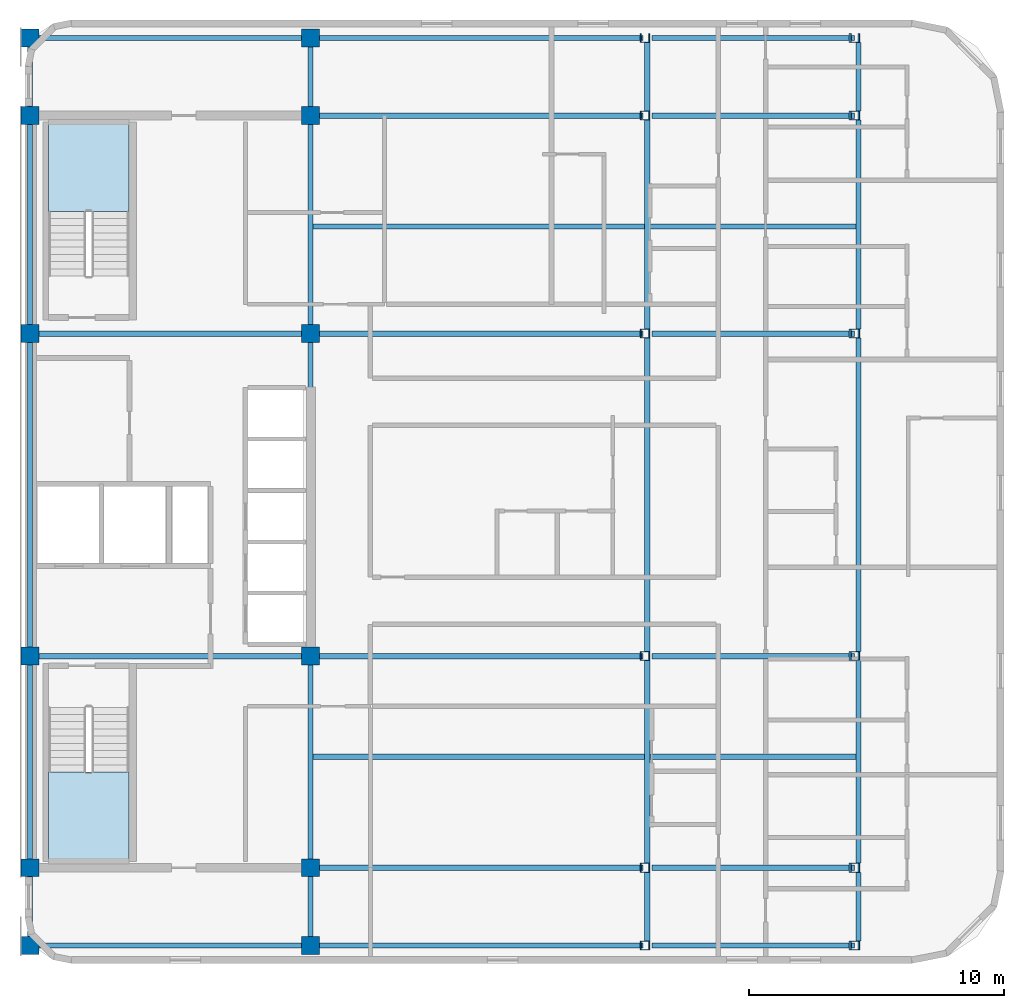
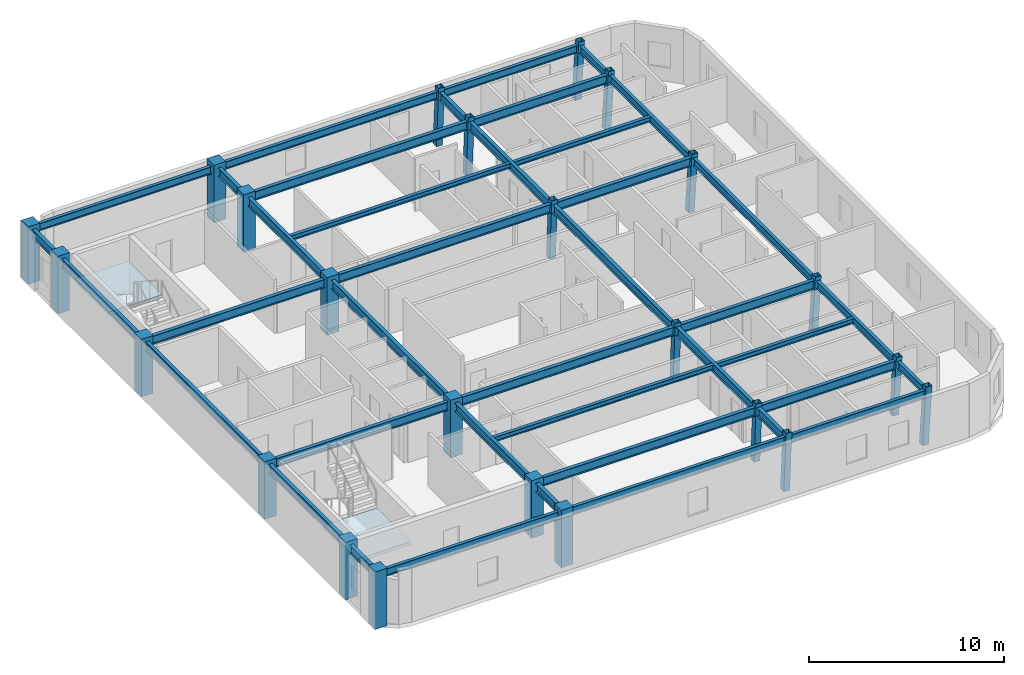
# One storey, part 1 of 7: 40 beams, 24 columns, 2 slabs, 2 elements without a shape of their own.
"""IFC4 building model written with IfcOpenShell, lengths in metres."""

from ifc_helpers import new_model, si_unit, direction, frame, origin, origin_2d, place, context, subcontext, project, spatial, polyline, rectangle, hollow_rectangle, i_section, outline, extrude, material, layer, layer_set, material_profile, profile_set, type_object, element, aggregate, save


model = new_model("IFC4")

# Units and contexts
model_context = context("Model", 3, precision=1e-05, world=origin(), true_north=direction((0.0, 1.0)))
body_context = subcontext(model_context, "Body", "Model", "MODEL_VIEW")
ifc_project = project(units=[si_unit("LENGTHUNIT", "METRE"), si_unit("AREAUNIT", "SQUARE_METRE"), si_unit("VOLUMEUNIT", "CUBIC_METRE"), si_unit("PLANEANGLEUNIT", "RADIAN"), si_unit("MASSUNIT", "GRAM", prefix="KILO")], contexts=[model_context])

# Site, building, storey
site_placement = place(None, origin())
site = spatial("IfcSite", under=ifc_project, at=site_placement, CompositionType="ELEMENT")
building_placement = place(site_placement, origin())
building = spatial("IfcBuilding", under=site, at=building_placement, Name="Ochreholt Gables", CompositionType="ELEMENT")
storey_placement = place(building_placement, frame((0.0, 0.0, 238.800048828125)))
storey = spatial("IfcBuildingStorey", under=building, at=storey_placement, Name="L62", CompositionType="ELEMENT", Elevation=238.800048828125)

# Columns
ifc_material_1 = material(Name="Steel CSA G40.21 350W", Category="steel")
ifc_material_profile_1 = material_profile(ifc_material_1, hollow_rectangle(XDim=0.35595703125, YDim=0.35595703125, WallThickness=0.01611328125, at=origin_2d()), Name="HSS356X356X16")
ifc_profile_set_1 = profile_set([ifc_material_profile_1], Name="Steel CSA G40.21 350W")
column_type_1 = type_object("IfcColumnType", Name="COL-HSS356-RAK", PredefinedType="COLUMN", material=ifc_profile_set_1)
for number, where, z_axis, x_axis, name in (
    (1, (48.2939453125, 9.25, 0.0), (0.034973505036, 0.0, 0.999388239847), (0.0, 1.0, 0.0), "L62 Column EMY2"),
    (2, (48.2939453125, 17.550048828125, 0.0), (0.034973505036, 0.0, 0.999388239847), (0.0, 1.0, 0.0), "L62 Column EMY3"),
    (3, (48.2939453125, 30.199951171875, 0.0), (0.034973505036, 0.0, 0.999388239847), (0.0, 1.0, 0.0), "L62 Column EMY4"),
    (4, (48.2939453125, 38.75, 0.0), (0.034973505036, 0.0, 0.999388239847), (0.0, 1.0, 0.0), "L62 Column EMY5"),
):
    element("IfcColumn", number, at=place(storey_placement, frame(where, z_axis=z_axis, x_axis=x_axis)), inside=storey, type_object=column_type_1, Name=name, PredefinedType="COLUMN", context=body_context, shape_type="SweptSolid", body=[
        extrude(hollow_rectangle(XDim=0.35595703125, YDim=0.35595703125, WallThickness=0.01611328125, at=origin_2d()), origin(), (0.0, 0.0, 1.0), 3.60205078125),
    ])
ifc_material_profile_2 = material_profile(ifc_material_1, hollow_rectangle(XDim=0.35595703125, YDim=0.35595703125, WallThickness=0.01611328125, at=origin_2d()), Name="HSS356X356X16")
ifc_profile_set_2 = profile_set([ifc_material_profile_2], Name="Steel CSA G40.21 350W")
column_type_2 = type_object("IfcColumnType", Name="COL-HSS356-RAKE", PredefinedType="COLUMN", material=ifc_profile_set_2)
for number, where, z_axis, x_axis, name in (
    (5, (48.2939453125, 6.199951171875, 0.0), (0.034973505036, 0.0, 0.999388239847), (0.0, 1.0, 0.0), "L62 Column EMY1"),
    (6, (48.2939453125, 41.800048828125, 0.0), (0.034973505036, 0.0, 0.999388239847), (0.0, 1.0, 0.0), "L62 Column EMY6"),
):
    element("IfcColumn", number, at=place(storey_placement, frame(where, z_axis=z_axis, x_axis=x_axis)), inside=storey, type_object=column_type_2, Name=name, PredefinedType="COLUMN", context=body_context, shape_type="SweptSolid", body=[
        extrude(hollow_rectangle(XDim=0.35595703125, YDim=0.35595703125, WallThickness=0.01611328125, at=origin_2d()), origin(), (0.0, 0.0, 1.0), 3.60205078125),
    ])
for number, where, z_axis, x_axis, name in (
    (7, (56.507080078125, 6.199951171875, 0.0), (0.057955997462, 0.0, 0.998319138531), (0.0, 1.0, 0.0), "L62 Column EEY1"),
    (8, (56.507080078125, 9.25, 0.0), (0.057955997462, 0.0, 0.998319138531), (0.0, 1.0, 0.0), "L62 Column EEY2"),
    (9, (56.507080078125, 17.550048828125, 0.0), (0.057955997462, 0.0, 0.998319138531), (0.0, 1.0, 0.0), "L62 Column EEY3"),
    (10, (56.507080078125, 30.199951171875, 0.0), (0.057955997462, 0.0, 0.998319138531), (0.0, 1.0, 0.0), "L62 Column EEY4"),
    (11, (56.507080078125, 38.75, 0.0), (0.057955997462, 0.0, 0.998319138531), (0.0, 1.0, 0.0), "L62 Column EEY5"),
    (12, (56.507080078125, 41.800048828125, 0.0), (0.057955997462, 0.0, 0.998319138531), (0.0, 1.0, 0.0), "L62 Column EEY6"),
):
    element("IfcColumn", number, at=place(storey_placement, frame(where, z_axis=z_axis, x_axis=x_axis)), inside=storey, type_object=column_type_2, Name=name, PredefinedType="COLUMN", context=body_context, shape_type="SweptSolid", body=[
        extrude(hollow_rectangle(XDim=0.35595703125, YDim=0.35595703125, WallThickness=0.01611328125, at=origin_2d()), origin(), (0.0, 0.0, 1.0), 3.60595703125),
    ])
ifc_material_2 = material(Name="Concrete 50 MPa", Category="concrete")
ifc_material_profile_3 = material_profile(ifc_material_2, rectangle(XDim=0.699951171875, YDim=0.699951171875, at=origin_2d()), Name="RC700X700")
ifc_profile_set_3 = profile_set([ifc_material_profile_3], Name="Concrete 50 MPa")
column_type_3 = type_object("IfcColumnType", Name="COL-RC700-EXT", PredefinedType="COLUMN", material=ifc_profile_set_3)
for number, where, z_axis, x_axis, name in (
    (13, (24.199951171875, 6.199951171875, 0.0), (0.0, 0.0, 1.0), (1.0, 0.0, 0.0), "L62 Column C1Y1"),
    (14, (24.199951171875, 9.25, 0.0), (0.0, 0.0, 1.0), (1.0, 0.0, 0.0), "L62 Column C1Y2"),
    (15, (24.199951171875, 17.550048828125, 0.0), (0.0, 0.0, 1.0), (1.0, 0.0, 0.0), "L62 Column C1Y3"),
    (16, (24.199951171875, 30.199951171875, 0.0), (0.0, 0.0, 1.0), (1.0, 0.0, 0.0), "L62 Column C1Y4"),
    (17, (24.199951171875, 38.75, 0.0), (0.0, 0.0, 1.0), (1.0, 0.0, 0.0), "L62 Column C1Y5"),
    (18, (24.199951171875, 41.800048828125, 0.0), (0.0, 0.0, 1.0), (1.0, 0.0, 0.0), "L62 Column C1Y6"),
    (19, (35.199951171875, 6.199951171875, 0.0), (0.0, 0.0, 1.0), (1.0, 0.0, 0.0), "L62 Column C2Y1"),
    (20, (35.199951171875, 41.800048828125, 0.0), (0.0, 0.0, 1.0), (1.0, 0.0, 0.0), "L62 Column C2Y6"),
):
    element("IfcColumn", number, at=place(storey_placement, frame(where, z_axis=z_axis, x_axis=x_axis)), inside=storey, type_object=column_type_3, Name=name, PredefinedType="COLUMN", context=body_context, shape_type="SweptSolid", body=[
        extrude(rectangle(XDim=0.699951171875, YDim=0.699951171875, at=origin_2d()), origin(), (0.0, 0.0, 1.0), 3.599853515625),
    ])
ifc_material_profile_4 = material_profile(ifc_material_2, rectangle(XDim=0.699951171875, YDim=0.699951171875, at=origin_2d()), Name="RC700X700")
ifc_profile_set_4 = profile_set([ifc_material_profile_4], Name="Concrete 50 MPa")
column_type_4 = type_object("IfcColumnType", Name="COL-RC700-INT", PredefinedType="COLUMN", material=ifc_profile_set_4)
for number, where, z_axis, x_axis, name in (
    (21, (35.199951171875, 9.25, 0.0), (0.0, 0.0, 1.0), (1.0, 0.0, 0.0), "L62 Column C2Y2"),
    (22, (35.199951171875, 17.550048828125, 0.0), (0.0, 0.0, 1.0), (1.0, 0.0, 0.0), "L62 Column C2Y3"),
    (23, (35.199951171875, 30.199951171875, 0.0), (0.0, 0.0, 1.0), (1.0, 0.0, 0.0), "L62 Column C2Y4"),
    (24, (35.199951171875, 38.75, 0.0), (0.0, 0.0, 1.0), (1.0, 0.0, 0.0), "L62 Column C2Y5"),
):
    element("IfcColumn", number, at=place(storey_placement, frame(where, z_axis=z_axis, x_axis=x_axis)), inside=storey, type_object=column_type_4, Name=name, PredefinedType="COLUMN", context=body_context, shape_type="SweptSolid", body=[
        extrude(rectangle(XDim=0.699951171875, YDim=0.699951171875, at=origin_2d()), origin(), (0.0, 0.0, 1.0), 3.599853515625),
    ])

# Beams
ifc_material_profile_5 = material_profile(ifc_material_1, i_section(OverallWidth=0.2109375, OverallDepth=0.5390625, WebThickness=0.01171875, FlangeThickness=0.018798828125, at=origin_2d()), Name="W530X109")
ifc_profile_set_5 = profile_set([ifc_material_profile_5], Name="Steel CSA G40.21 350W")
beam_type_1 = type_object("IfcBeamType", Name="BM-G-W530A", PredefinedType="BEAM", material=ifc_profile_set_5)
beam_1_placement = place(storey_placement, frame((35.549560546875, 9.25, 3.09033203125), z_axis=(1.0, 0.0, 0.0), x_axis=(0.0, 1.0, 0.0)))
element("IfcBeam", 25, at=beam_1_placement, inside=storey, type_object=beam_type_1, Name="L62 Beam TBG-L62-C2EM-Y2", PredefinedType="BEAM", context=body_context, shape_type="SweptSolid", body=[
    extrude(i_section(OverallWidth=0.2109375, OverallDepth=0.5390625, WebThickness=0.01171875, FlangeThickness=0.018798828125, at=origin_2d()), origin(), (0.0, 0.0, 1.0), 12.69287109375),
])
beam_2_placement = place(storey_placement, frame((48.59765625, 9.25, 3.09033203125), z_axis=(1.0, 0.0, 0.0), x_axis=(0.0, 1.0, 0.0)))
element("IfcBeam", 26, at=beam_2_placement, inside=storey, type_object=beam_type_1, Name="L62 Beam TBG-L62-EMEE-Y2", PredefinedType="BEAM", context=body_context, shape_type="SweptSolid", body=[
    extrude(i_section(OverallWidth=0.2109375, OverallDepth=0.5390625, WebThickness=0.01171875, FlangeThickness=0.018798828125, at=origin_2d()), origin(), (0.0, 0.0, 1.0), 7.940673828125),
])
beam_3_placement = place(storey_placement, frame((24.549560546875, 17.550048828125, 3.09033203125), z_axis=(1.0, 0.0, 0.0), x_axis=(0.0, 1.0, 0.0)))
element("IfcBeam", 27, at=beam_3_placement, inside=storey, type_object=beam_type_1, Name="L62 Beam TBG-L62-C1C2-Y3", PredefinedType="BEAM", context=body_context, shape_type="SweptSolid", body=[
    extrude(i_section(OverallWidth=0.2109375, OverallDepth=0.5390625, WebThickness=0.01171875, FlangeThickness=0.018798828125, at=origin_2d()), origin(), (0.0, 0.0, 1.0), 10.30078125),
])
beam_4_placement = place(storey_placement, frame((35.549560546875, 17.550048828125, 3.09033203125), z_axis=(1.0, 0.0, 0.0), x_axis=(0.0, 1.0, 0.0)))
element("IfcBeam", 28, at=beam_4_placement, inside=storey, type_object=beam_type_1, Name="L62 Beam TBG-L62-C2EM-Y3", PredefinedType="BEAM", context=body_context, shape_type="SweptSolid", body=[
    extrude(i_section(OverallWidth=0.2109375, OverallDepth=0.5390625, WebThickness=0.01171875, FlangeThickness=0.018798828125, at=origin_2d()), origin(), (0.0, 0.0, 1.0), 12.69287109375),
])
beam_5_placement = place(storey_placement, frame((48.59765625, 17.550048828125, 3.09033203125), z_axis=(1.0, 0.0, 0.0), x_axis=(0.0, 1.0, 0.0)))
element("IfcBeam", 29, at=beam_5_placement, inside=storey, type_object=beam_type_1, Name="L62 Beam TBG-L62-EMEE-Y3", PredefinedType="BEAM", context=body_context, shape_type="SweptSolid", body=[
    extrude(i_section(OverallWidth=0.2109375, OverallDepth=0.5390625, WebThickness=0.01171875, FlangeThickness=0.018798828125, at=origin_2d()), origin(), (0.0, 0.0, 1.0), 7.940673828125),
])
beam_6_placement = place(storey_placement, frame((24.549560546875, 30.199951171875, 3.09033203125), z_axis=(1.0, 0.0, 0.0), x_axis=(0.0, 1.0, 0.0)))
element("IfcBeam", 30, at=beam_6_placement, inside=storey, type_object=beam_type_1, Name="L62 Beam TBG-L62-C1C2-Y4", PredefinedType="BEAM", context=body_context, shape_type="SweptSolid", body=[
    extrude(i_section(OverallWidth=0.2109375, OverallDepth=0.5390625, WebThickness=0.01171875, FlangeThickness=0.018798828125, at=origin_2d()), origin(), (0.0, 0.0, 1.0), 10.30078125),
])
beam_7_placement = place(storey_placement, frame((35.549560546875, 30.199951171875, 3.09033203125), z_axis=(1.0, 0.0, 0.0), x_axis=(0.0, 1.0, 0.0)))
element("IfcBeam", 31, at=beam_7_placement, inside=storey, type_object=beam_type_1, Name="L62 Beam TBG-L62-C2EM-Y4", PredefinedType="BEAM", context=body_context, shape_type="SweptSolid", body=[
    extrude(i_section(OverallWidth=0.2109375, OverallDepth=0.5390625, WebThickness=0.01171875, FlangeThickness=0.018798828125, at=origin_2d()), origin(), (0.0, 0.0, 1.0), 12.69287109375),
])
beam_8_placement = place(storey_placement, frame((48.59765625, 30.199951171875, 3.09033203125), z_axis=(1.0, 0.0, 0.0), x_axis=(0.0, 1.0, 0.0)))
element("IfcBeam", 32, at=beam_8_placement, inside=storey, type_object=beam_type_1, Name="L62 Beam TBG-L62-EMEE-Y4", PredefinedType="BEAM", context=body_context, shape_type="SweptSolid", body=[
    extrude(i_section(OverallWidth=0.2109375, OverallDepth=0.5390625, WebThickness=0.01171875, FlangeThickness=0.018798828125, at=origin_2d()), origin(), (0.0, 0.0, 1.0), 7.940673828125),
])
beam_9_placement = place(storey_placement, frame((35.549560546875, 38.75, 3.09033203125), z_axis=(1.0, 0.0, 0.0), x_axis=(0.0, 1.0, 0.0)))
element("IfcBeam", 33, at=beam_9_placement, inside=storey, type_object=beam_type_1, Name="L62 Beam TBG-L62-C2EM-Y5", PredefinedType="BEAM", context=body_context, shape_type="SweptSolid", body=[
    extrude(i_section(OverallWidth=0.2109375, OverallDepth=0.5390625, WebThickness=0.01171875, FlangeThickness=0.018798828125, at=origin_2d()), origin(), (0.0, 0.0, 1.0), 12.69287109375),
])
beam_10_placement = place(storey_placement, frame((48.59765625, 38.75, 3.09033203125), z_axis=(1.0, 0.0, 0.0), x_axis=(0.0, 1.0, 0.0)))
element("IfcBeam", 34, at=beam_10_placement, inside=storey, type_object=beam_type_1, Name="L62 Beam TBG-L62-EMEE-Y5", PredefinedType="BEAM", context=body_context, shape_type="SweptSolid", body=[
    extrude(i_section(OverallWidth=0.2109375, OverallDepth=0.5390625, WebThickness=0.01171875, FlangeThickness=0.018798828125, at=origin_2d()), origin(), (0.0, 0.0, 1.0), 7.940673828125),
])
beam_11_placement = place(storey_placement, frame((24.199951171875, 6.549560546875, 3.09033203125), z_axis=(0.0, 1.0, 0.0), x_axis=(-1.0, 0.0, 0.0)))
element("IfcBeam", 35, at=beam_11_placement, inside=storey, type_object=beam_type_1, Name="L62 Beam TBN-L62-C1-Y1Y2", PredefinedType="BEAM", context=body_context, shape_type="SweptSolid", body=[
    extrude(i_section(OverallWidth=0.2109375, OverallDepth=0.5390625, WebThickness=0.01171875, FlangeThickness=0.018798828125, at=origin_2d()), origin(), (0.0, 0.0, 1.0), 2.350830078125),
])
beam_12_placement = place(storey_placement, frame((24.199951171875, 9.599609375, 3.09033203125), z_axis=(0.0, 1.0, 0.0), x_axis=(-1.0, 0.0, 0.0)))
element("IfcBeam", 36, at=beam_12_placement, inside=storey, type_object=beam_type_1, Name="L62 Beam TBN-L62-C1-Y2Y3", PredefinedType="BEAM", context=body_context, shape_type="SweptSolid", body=[
    extrude(i_section(OverallWidth=0.2109375, OverallDepth=0.5390625, WebThickness=0.01171875, FlangeThickness=0.018798828125, at=origin_2d()), origin(), (0.0, 0.0, 1.0), 7.600830078125),
])
beam_13_placement = place(storey_placement, frame((24.199951171875, 17.899658203125, 3.09033203125), z_axis=(0.0, 1.0, 0.0), x_axis=(-1.0, 0.0, 0.0)))
element("IfcBeam", 37, at=beam_13_placement, inside=storey, type_object=beam_type_1, Name="L62 Beam TBN-L62-C1-Y3Y4", PredefinedType="BEAM", context=body_context, shape_type="SweptSolid", body=[
    extrude(i_section(OverallWidth=0.2109375, OverallDepth=0.5390625, WebThickness=0.01171875, FlangeThickness=0.018798828125, at=origin_2d()), origin(), (0.0, 0.0, 1.0), 11.95068359375),
])
beam_14_placement = place(storey_placement, frame((24.199951171875, 30.549560546875, 3.09033203125), z_axis=(0.0, 1.0, 0.0), x_axis=(-1.0, 0.0, 0.0)))
element("IfcBeam", 38, at=beam_14_placement, inside=storey, type_object=beam_type_1, Name="L62 Beam TBN-L62-C1-Y4Y5", PredefinedType="BEAM", context=body_context, shape_type="SweptSolid", body=[
    extrude(i_section(OverallWidth=0.2109375, OverallDepth=0.5390625, WebThickness=0.01171875, FlangeThickness=0.018798828125, at=origin_2d()), origin(), (0.0, 0.0, 1.0), 7.850830078125),
])
for number, where, z_axis, x_axis, name in (
    (39, (24.199951171875, 39.099609375, 3.09033203125), (0.0, 1.0, 0.0), (-1.0, 0.0, 0.0), "L62 Beam TBN-L62-C1-Y5Y6"),
    (40, (35.199951171875, 6.549560546875, 3.09033203125), (0.0, 1.0, 0.0), (-1.0, 0.0, 0.0), "L62 Beam TBN-L62-C2-Y1Y2"),
):
    element("IfcBeam", number, at=place(storey_placement, frame(where, z_axis=z_axis, x_axis=x_axis)), inside=storey, type_object=beam_type_1, Name=name, PredefinedType="BEAM", context=body_context, shape_type="SweptSolid", body=[
        extrude(i_section(OverallWidth=0.2109375, OverallDepth=0.5390625, WebThickness=0.01171875, FlangeThickness=0.018798828125, at=origin_2d()), origin(), (0.0, 0.0, 1.0), 2.350830078125),
    ])
beam_15_placement = place(storey_placement, frame((35.199951171875, 9.599609375, 3.09033203125), z_axis=(0.0, 1.0, 0.0), x_axis=(-1.0, 0.0, 0.0)))
element("IfcBeam", 41, at=beam_15_placement, inside=storey, type_object=beam_type_1, Name="L62 Beam TBN-L62-C2-Y2Y3", PredefinedType="BEAM", context=body_context, shape_type="SweptSolid", body=[
    extrude(i_section(OverallWidth=0.2109375, OverallDepth=0.5390625, WebThickness=0.01171875, FlangeThickness=0.018798828125, at=origin_2d()), origin(), (0.0, 0.0, 1.0), 7.600830078125),
])
beam_16_placement = place(storey_placement, frame((35.199951171875, 17.899658203125, 3.09033203125), z_axis=(0.0, 1.0, 0.0), x_axis=(-1.0, 0.0, 0.0)))
element("IfcBeam", 42, at=beam_16_placement, inside=storey, type_object=beam_type_1, Name="L62 Beam TBN-L62-C2-Y3Y4", PredefinedType="BEAM", context=body_context, shape_type="SweptSolid", body=[
    extrude(i_section(OverallWidth=0.2109375, OverallDepth=0.5390625, WebThickness=0.01171875, FlangeThickness=0.018798828125, at=origin_2d()), origin(), (0.0, 0.0, 1.0), 11.95068359375),
])
beam_17_placement = place(storey_placement, frame((35.199951171875, 30.549560546875, 3.09033203125), z_axis=(0.0, 1.0, 0.0), x_axis=(-1.0, 0.0, 0.0)))
element("IfcBeam", 43, at=beam_17_placement, inside=storey, type_object=beam_type_1, Name="L62 Beam TBN-L62-C2-Y4Y5", PredefinedType="BEAM", context=body_context, shape_type="SweptSolid", body=[
    extrude(i_section(OverallWidth=0.2109375, OverallDepth=0.5390625, WebThickness=0.01171875, FlangeThickness=0.018798828125, at=origin_2d()), origin(), (0.0, 0.0, 1.0), 7.850830078125),
])
beam_18_placement = place(storey_placement, frame((35.199951171875, 39.099609375, 3.09033203125), z_axis=(0.0, 1.0, 0.0), x_axis=(-1.0, 0.0, 0.0)))
element("IfcBeam", 44, at=beam_18_placement, inside=storey, type_object=beam_type_1, Name="L62 Beam TBN-L62-C2-Y5Y6", PredefinedType="BEAM", context=body_context, shape_type="SweptSolid", body=[
    extrude(i_section(OverallWidth=0.2109375, OverallDepth=0.5390625, WebThickness=0.01171875, FlangeThickness=0.018798828125, at=origin_2d()), origin(), (0.0, 0.0, 1.0), 2.350830078125),
])
beam_19_placement = place(storey_placement, frame((48.40283203125, 6.377685546875, 3.09033203125), z_axis=(0.0, 1.0, 0.0), x_axis=(-1.0, 0.0, 0.0)))
element("IfcBeam", 45, at=beam_19_placement, inside=storey, type_object=beam_type_1, Name="L62 Beam TBN-L62-EM-Y1Y2", PredefinedType="BEAM", context=body_context, shape_type="SweptSolid", body=[
    extrude(i_section(OverallWidth=0.2109375, OverallDepth=0.5390625, WebThickness=0.01171875, FlangeThickness=0.018798828125, at=origin_2d()), origin(), (0.0, 0.0, 1.0), 2.69482421875),
])
beam_20_placement = place(storey_placement, frame((48.40283203125, 9.427490234375, 3.09033203125), z_axis=(0.0, 1.0, 0.0), x_axis=(-1.0, 0.0, 0.0)))
element("IfcBeam", 46, at=beam_20_placement, inside=storey, type_object=beam_type_1, Name="L62 Beam TBN-L62-EM-Y2Y3", PredefinedType="BEAM", context=body_context, shape_type="SweptSolid", body=[
    extrude(i_section(OverallWidth=0.2109375, OverallDepth=0.5390625, WebThickness=0.01171875, FlangeThickness=0.018798828125, at=origin_2d()), origin(), (0.0, 0.0, 1.0), 7.94482421875),
])
beam_21_placement = place(storey_placement, frame((48.40283203125, 17.7275390625, 3.09033203125), z_axis=(0.0, 1.0, 0.0), x_axis=(-1.0, 0.0, 0.0)))
element("IfcBeam", 47, at=beam_21_placement, inside=storey, type_object=beam_type_1, Name="L62 Beam TBN-L62-EM-Y3Y4", PredefinedType="BEAM", context=body_context, shape_type="SweptSolid", body=[
    extrude(i_section(OverallWidth=0.2109375, OverallDepth=0.5390625, WebThickness=0.01171875, FlangeThickness=0.018798828125, at=origin_2d()), origin(), (0.0, 0.0, 1.0), 12.294921875),
])
beam_22_placement = place(storey_placement, frame((48.40283203125, 30.377685546875, 3.09033203125), z_axis=(0.0, 1.0, 0.0), x_axis=(-1.0, 0.0, 0.0)))
element("IfcBeam", 48, at=beam_22_placement, inside=storey, type_object=beam_type_1, Name="L62 Beam TBN-L62-EM-Y4Y5", PredefinedType="BEAM", context=body_context, shape_type="SweptSolid", body=[
    extrude(i_section(OverallWidth=0.2109375, OverallDepth=0.5390625, WebThickness=0.01171875, FlangeThickness=0.018798828125, at=origin_2d()), origin(), (0.0, 0.0, 1.0), 8.19482421875),
])
beam_23_placement = place(storey_placement, frame((48.40283203125, 38.927490234375, 3.09033203125), z_axis=(0.0, 1.0, 0.0), x_axis=(-1.0, 0.0, 0.0)))
element("IfcBeam", 49, at=beam_23_placement, inside=storey, type_object=beam_type_1, Name="L62 Beam TBN-L62-EM-Y5Y6", PredefinedType="BEAM", context=body_context, shape_type="SweptSolid", body=[
    extrude(i_section(OverallWidth=0.2109375, OverallDepth=0.5390625, WebThickness=0.01171875, FlangeThickness=0.018798828125, at=origin_2d()), origin(), (0.0, 0.0, 1.0), 2.69482421875),
])
ifc_material_profile_6 = material_profile(ifc_material_1, i_section(OverallWidth=0.202880859375, OverallDepth=0.302978515625, WebThickness=0.007568359375, FlangeThickness=0.01318359375, at=origin_2d()), Name="W310X60")
ifc_profile_set_6 = profile_set([ifc_material_profile_6], Name="Steel CSA G40.21 350W")
beam_type_2 = type_object("IfcBeamType", Name="BM-J-W310", PredefinedType="JOIST", material=ifc_profile_set_6)
beam_24_placement = place(storey_placement, frame((35.30517578125, 13.60009765625, 3.20849609375), z_axis=(1.0, 0.0, 0.0), x_axis=(0.0, 1.0, 0.0)))
element("IfcBeam", 50, at=beam_24_placement, inside=storey, type_object=beam_type_2, Name="L62 Beam TBJ-L62-J1-C2EM", PredefinedType="JOIST", context=body_context, shape_type="SweptSolid", body=[
    extrude(i_section(OverallWidth=0.202880859375, OverallDepth=0.302978515625, WebThickness=0.007568359375, FlangeThickness=0.01318359375, at=origin_2d()), origin(), (0.0, 0.0, 1.0), 12.99267578125),
])
beam_25_placement = place(storey_placement, frame((48.508056640625, 13.60009765625, 3.20849609375), z_axis=(1.0, 0.0, 0.0), x_axis=(0.0, 1.0, 0.0)))
element("IfcBeam", 51, at=beam_25_placement, inside=storey, type_object=beam_type_2, Name="L62 Beam TBJ-L62-J1-EMEE", PredefinedType="JOIST", context=body_context, shape_type="SweptSolid", body=[
    extrude(i_section(OverallWidth=0.202880859375, OverallDepth=0.302978515625, WebThickness=0.007568359375, FlangeThickness=0.01318359375, at=origin_2d()), origin(), (0.0, 0.0, 1.0), 8.083984375),
])
beam_26_placement = place(storey_placement, frame((35.30517578125, 34.39990234375, 3.20849609375), z_axis=(1.0, 0.0, 0.0), x_axis=(0.0, 1.0, 0.0)))
element("IfcBeam", 52, at=beam_26_placement, inside=storey, type_object=beam_type_2, Name="L62 Beam TBJ-L62-J2-C2EM", PredefinedType="JOIST", context=body_context, shape_type="SweptSolid", body=[
    extrude(i_section(OverallWidth=0.202880859375, OverallDepth=0.302978515625, WebThickness=0.007568359375, FlangeThickness=0.01318359375, at=origin_2d()), origin(), (0.0, 0.0, 1.0), 12.99267578125),
])
beam_27_placement = place(storey_placement, frame((48.508056640625, 34.39990234375, 3.20849609375), z_axis=(1.0, 0.0, 0.0), x_axis=(0.0, 1.0, 0.0)))
element("IfcBeam", 53, at=beam_27_placement, inside=storey, type_object=beam_type_2, Name="L62 Beam TBJ-L62-J2-EMEE", PredefinedType="JOIST", context=body_context, shape_type="SweptSolid", body=[
    extrude(i_section(OverallWidth=0.202880859375, OverallDepth=0.302978515625, WebThickness=0.007568359375, FlangeThickness=0.01318359375, at=origin_2d()), origin(), (0.0, 0.0, 1.0), 8.083984375),
])
ifc_material_profile_7 = material_profile(ifc_material_1, i_section(OverallWidth=0.19189453125, OverallDepth=0.462890625, WebThickness=0.010498046875, FlangeThickness=0.017578125, at=origin_2d()), Name="W460X89")
ifc_profile_set_7 = profile_set([ifc_material_profile_7], Name="Steel CSA G40.21 350W")
beam_type_3 = type_object("IfcBeamType", Name="BM-SP-W460A", PredefinedType="SPANDREL", material=ifc_profile_set_7)
beam_28_placement = place(storey_placement, frame((24.549560546875, 6.199951171875, 3.12841796875), z_axis=(1.0, 0.0, 0.0), x_axis=(0.0, 1.0, 0.0)))
element("IfcBeam", 54, at=beam_28_placement, inside=storey, type_object=beam_type_3, Name="L62 Beam TBG-L62-C1C2-Y1", PredefinedType="SPANDREL", context=body_context, shape_type="SweptSolid", body=[
    extrude(i_section(OverallWidth=0.19189453125, OverallDepth=0.462890625, WebThickness=0.010498046875, FlangeThickness=0.017578125, at=origin_2d()), origin(), (0.0, 0.0, 1.0), 10.30078125),
])
beam_29_placement = place(storey_placement, frame((35.549560546875, 6.199951171875, 3.12841796875), z_axis=(1.0, 0.0, 0.0), x_axis=(0.0, 1.0, 0.0)))
element("IfcBeam", 55, at=beam_29_placement, inside=storey, type_object=beam_type_3, Name="L62 Beam TBG-L62-C2EM-Y1", PredefinedType="SPANDREL", context=body_context, shape_type="SweptSolid", body=[
    extrude(i_section(OverallWidth=0.19189453125, OverallDepth=0.462890625, WebThickness=0.010498046875, FlangeThickness=0.017578125, at=origin_2d()), origin(), (0.0, 0.0, 1.0), 12.69287109375),
])
beam_30_placement = place(storey_placement, frame((48.59765625, 6.199951171875, 3.12841796875), z_axis=(1.0, 0.0, 0.0), x_axis=(0.0, 1.0, 0.0)))
element("IfcBeam", 56, at=beam_30_placement, inside=storey, type_object=beam_type_3, Name="L62 Beam TBG-L62-EMEE-Y1", PredefinedType="SPANDREL", context=body_context, shape_type="SweptSolid", body=[
    extrude(i_section(OverallWidth=0.19189453125, OverallDepth=0.462890625, WebThickness=0.010498046875, FlangeThickness=0.017578125, at=origin_2d()), origin(), (0.0, 0.0, 1.0), 7.940673828125),
])
beam_31_placement = place(storey_placement, frame((24.549560546875, 41.800048828125, 3.12841796875), z_axis=(1.0, 0.0, 0.0), x_axis=(0.0, 1.0, 0.0)))
element("IfcBeam", 57, at=beam_31_placement, inside=storey, type_object=beam_type_3, Name="L62 Beam TBG-L62-C1C2-Y6", PredefinedType="SPANDREL", context=body_context, shape_type="SweptSolid", body=[
    extrude(i_section(OverallWidth=0.19189453125, OverallDepth=0.462890625, WebThickness=0.010498046875, FlangeThickness=0.017578125, at=origin_2d()), origin(), (0.0, 0.0, 1.0), 10.30078125),
])
beam_32_placement = place(storey_placement, frame((35.549560546875, 41.800048828125, 3.12841796875), z_axis=(1.0, 0.0, 0.0), x_axis=(0.0, 1.0, 0.0)))
element("IfcBeam", 58, at=beam_32_placement, inside=storey, type_object=beam_type_3, Name="L62 Beam TBG-L62-C2EM-Y6", PredefinedType="SPANDREL", context=body_context, shape_type="SweptSolid", body=[
    extrude(i_section(OverallWidth=0.19189453125, OverallDepth=0.462890625, WebThickness=0.010498046875, FlangeThickness=0.017578125, at=origin_2d()), origin(), (0.0, 0.0, 1.0), 12.69287109375),
])
beam_33_placement = place(storey_placement, frame((48.59765625, 41.800048828125, 3.12841796875), z_axis=(1.0, 0.0, 0.0), x_axis=(0.0, 1.0, 0.0)))
element("IfcBeam", 59, at=beam_33_placement, inside=storey, type_object=beam_type_3, Name="L62 Beam TBG-L62-EMEE-Y6", PredefinedType="SPANDREL", context=body_context, shape_type="SweptSolid", body=[
    extrude(i_section(OverallWidth=0.19189453125, OverallDepth=0.462890625, WebThickness=0.010498046875, FlangeThickness=0.017578125, at=origin_2d()), origin(), (0.0, 0.0, 1.0), 7.940673828125),
])
beam_34_placement = place(storey_placement, frame((56.6875, 6.377685546875, 3.12841796875), z_axis=(0.0, 1.0, 0.0), x_axis=(-1.0, 0.0, 0.0)))
element("IfcBeam", 60, at=beam_34_placement, inside=storey, type_object=beam_type_3, Name="L62 Beam TBN-L62-EE-Y1Y2", PredefinedType="SPANDREL", context=body_context, shape_type="SweptSolid", body=[
    extrude(i_section(OverallWidth=0.19189453125, OverallDepth=0.462890625, WebThickness=0.010498046875, FlangeThickness=0.017578125, at=origin_2d()), origin(), (0.0, 0.0, 1.0), 2.69482421875),
])
beam_35_placement = place(storey_placement, frame((56.6875, 9.427490234375, 3.12841796875), z_axis=(0.0, 1.0, 0.0), x_axis=(-1.0, 0.0, 0.0)))
element("IfcBeam", 61, at=beam_35_placement, inside=storey, type_object=beam_type_3, Name="L62 Beam TBN-L62-EE-Y2Y3", PredefinedType="SPANDREL", context=body_context, shape_type="SweptSolid", body=[
    extrude(i_section(OverallWidth=0.19189453125, OverallDepth=0.462890625, WebThickness=0.010498046875, FlangeThickness=0.017578125, at=origin_2d()), origin(), (0.0, 0.0, 1.0), 7.94482421875),
])
beam_36_placement = place(storey_placement, frame((56.6875, 17.7275390625, 3.12841796875), z_axis=(0.0, 1.0, 0.0), x_axis=(-1.0, 0.0, 0.0)))
element("IfcBeam", 62, at=beam_36_placement, inside=storey, type_object=beam_type_3, Name="L62 Beam TBN-L62-EE-Y3Y4", PredefinedType="SPANDREL", context=body_context, shape_type="SweptSolid", body=[
    extrude(i_section(OverallWidth=0.19189453125, OverallDepth=0.462890625, WebThickness=0.010498046875, FlangeThickness=0.017578125, at=origin_2d()), origin(), (0.0, 0.0, 1.0), 12.294921875),
])
beam_37_placement = place(storey_placement, frame((56.6875, 30.377685546875, 3.12841796875), z_axis=(0.0, 1.0, 0.0), x_axis=(-1.0, 0.0, 0.0)))
element("IfcBeam", 63, at=beam_37_placement, inside=storey, type_object=beam_type_3, Name="L62 Beam TBN-L62-EE-Y4Y5", PredefinedType="SPANDREL", context=body_context, shape_type="SweptSolid", body=[
    extrude(i_section(OverallWidth=0.19189453125, OverallDepth=0.462890625, WebThickness=0.010498046875, FlangeThickness=0.017578125, at=origin_2d()), origin(), (0.0, 0.0, 1.0), 8.19482421875),
])
beam_38_placement = place(storey_placement, frame((56.6875, 38.927490234375, 3.12841796875), z_axis=(0.0, 1.0, 0.0), x_axis=(-1.0, 0.0, 0.0)))
element("IfcBeam", 64, at=beam_38_placement, inside=storey, type_object=beam_type_3, Name="L62 Beam TBN-L62-EE-Y5Y6", PredefinedType="SPANDREL", context=body_context, shape_type="SweptSolid", body=[
    extrude(i_section(OverallWidth=0.19189453125, OverallDepth=0.462890625, WebThickness=0.010498046875, FlangeThickness=0.017578125, at=origin_2d()), origin(), (0.0, 0.0, 1.0), 2.69482421875),
])

# Stair, slab
ifc_material_3 = material(Name="Concrete 40 MPa", Category="concrete")
stair_type_1 = type_object("IfcStairType", Name="STAIR-CORE-ST-1", PredefinedType="HALF_TURN_STAIR", material=ifc_material_3)
stair_1_placement = place(storey_placement, origin())
stair_1 = element("IfcStair", 65, at=stair_1_placement, inside=storey, type_object=stair_type_1, Name="L62 Core Exit Stair 1", PredefinedType="HALF_TURN_STAIR")
ifc_layer = layer(ifc_material_3, 0.199951171875, Name="Concrete 40 MPa")
ifc_layer_set = layer_set([ifc_layer], Name="Concrete 40 MPa")
slab_type = type_object("IfcSlabType", Name="LANDING-RC200", PredefinedType="LANDING", material=ifc_layer_set)
slab_1_placement = place(storey_placement, frame((0.0, 0.0, 1.599853515625)))
slab_1 = element("IfcSlab", 66, at=slab_1_placement, type_object=slab_type, Name="ST-1 landing 1", PredefinedType="LANDING", context=body_context, shape_type="SweptSolid", body=[
    extrude(outline(polyline([(24.919921875, 13.001953125), (24.919921875, 9.52001953125), (28.080078125, 9.52001953125), (28.080078125, 13.001953125), (24.919921875, 13.001953125)])), origin(), (0.0, 0.0, 1.0), 0.2001953125),
])
aggregate(stair_1, [slab_1])

stair_type_2 = type_object("IfcStairType", Name="STAIR-CORE-ST-2", PredefinedType="HALF_TURN_STAIR", material=ifc_material_3)
stair_2_placement = place(storey_placement, origin())
stair_2 = element("IfcStair", 67, at=stair_2_placement, inside=storey, type_object=stair_type_2, Name="L62 Core Exit Stair 2", PredefinedType="HALF_TURN_STAIR")
slab_2_placement = place(storey_placement, frame((0.0, 0.0, 1.599853515625)))
slab_2 = element("IfcSlab", 68, at=slab_2_placement, type_object=slab_type, Name="ST-2 landing 1", PredefinedType="LANDING", context=body_context, shape_type="SweptSolid", body=[
    extrude(outline(polyline([(28.080078125, 34.998046875), (28.080078125, 38.47998046875), (24.919921875, 38.47998046875), (24.919921875, 34.998046875), (28.080078125, 34.998046875)])), origin(), (0.0, 0.0, 1.0), 0.2001953125),
])
aggregate(stair_2, [slab_2])

save(model, "model.ifc")
